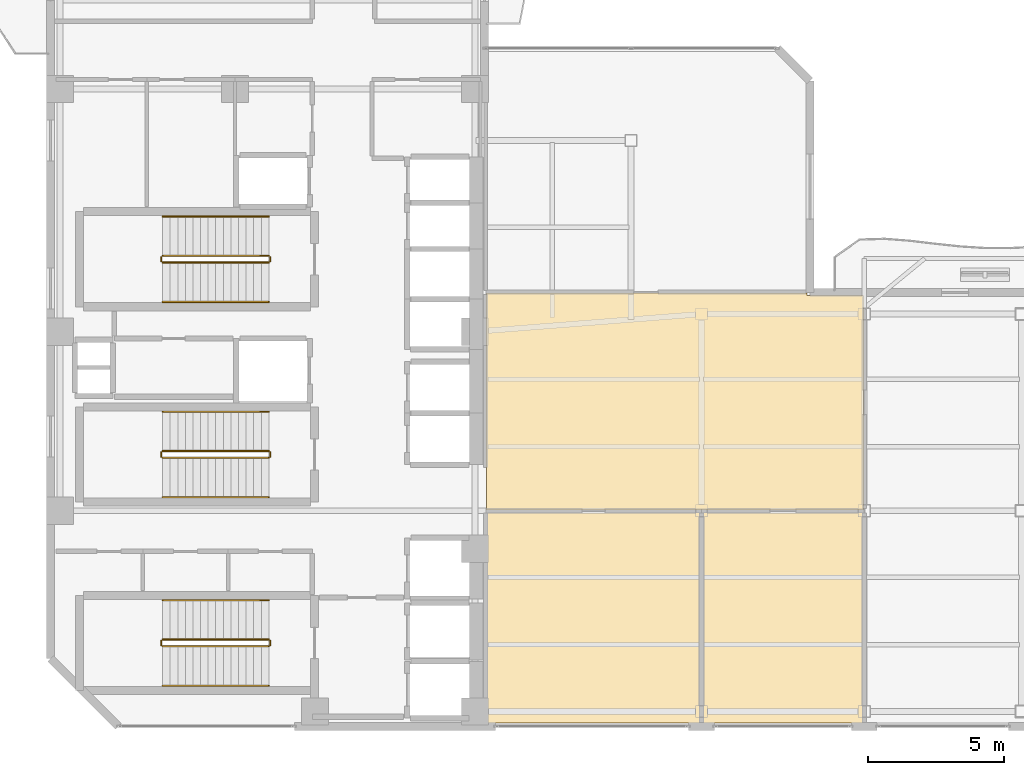
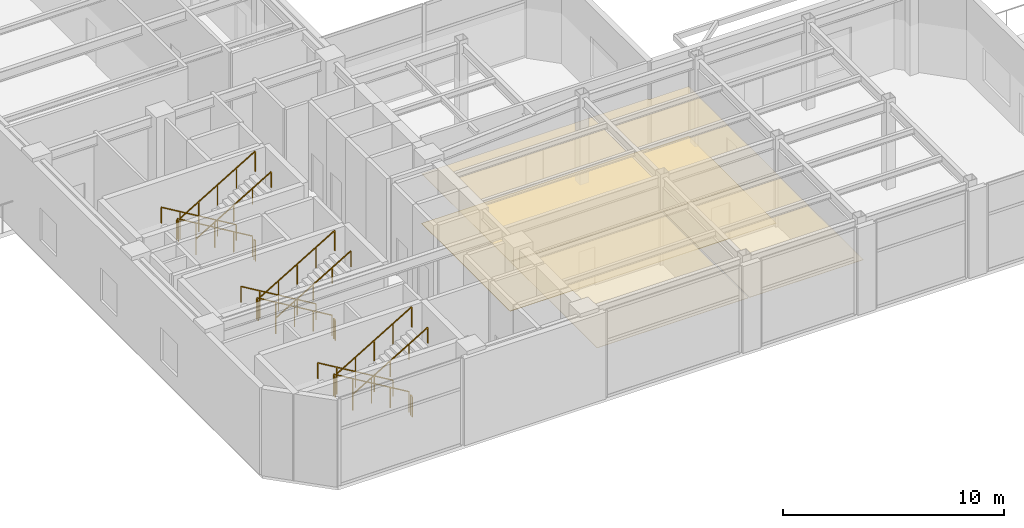
# One storey, part 14 of 16: 18 railings, 4 coverings.
"""IFC4 building model written with IfcOpenShell, lengths in metres."""

from ifc_helpers import new_model, si_unit, direction, frame, origin, origin_2d, place, context, subcontext, project, spatial, polyline, rectangle, outline, extrude, material, layer, layer_set, type_object, element, save


model = new_model("IFC4")

# Units and contexts
model_context = context("Model", 3, precision=1e-05, world=origin(), true_north=direction((0.0, 1.0)))
body_context = subcontext(model_context, "Body", "Model", "MODEL_VIEW")
ifc_project = project(units=[si_unit("LENGTHUNIT", "METRE"), si_unit("AREAUNIT", "SQUARE_METRE"), si_unit("VOLUMEUNIT", "CUBIC_METRE"), si_unit("PLANEANGLEUNIT", "RADIAN"), si_unit("MASSUNIT", "GRAM", prefix="KILO")], contexts=[model_context])

# Site, building, storey
site_placement = place(None, origin())
site = spatial("IfcSite", under=ifc_project, at=site_placement, CompositionType="ELEMENT")
building_placement = place(site_placement, origin())
building = spatial("IfcBuilding", under=site, at=building_placement, Name="Mawjaban Terraces University", CompositionType="ELEMENT")
storey_placement = place(building_placement, frame((0.0, 0.0, 170.800048828125)))
storey = spatial("IfcBuildingStorey", under=building, at=storey_placement, Name="L41", CompositionType="ELEMENT", Elevation=170.800048828125)

# Coverings
ifc_material_1 = material(Name="Acoustic mineral fibre ceiling tile", Category="masonry")
ifc_layer_1 = layer(ifc_material_1, 0.02001953125)
ifc_layer_set_1 = layer_set([ifc_layer_1], Name="Acoustic mineral fibre ceiling tile")
covering_type_1 = type_object("IfcCoveringType", Name="AcousticMineralCeiling_20", PredefinedType="CEILING", material=ifc_layer_set_1)
covering_1_placement = place(storey_placement, frame((0.0, 0.0, 2.75)))
element("IfcCovering", 1, at=covering_1_placement, inside=storey, type_object=covering_type_1, Name="L41 Transfer Sky Lobby Concourse Acoustic Ceiling", PredefinedType="CEILING", context=body_context, shape_type="SweptSolid", body=[
    extrude(outline(polyline([(51.969970703125, 15.885009765625), (49.885009765625, 15.885009765625), (49.885009765625, 15.969970703125), (38.080078125, 15.969970703125), (38.080078125, 7.97998046875), (51.969970703125, 7.97998046875), (51.969970703125, 15.885009765625)])), origin(), (0.0, 0.0, 1.0), 0.02001953125),
])
covering_2_placement = place(storey_placement, frame((0.0, 0.0, 2.75)))
element("IfcCovering", 2, at=covering_2_placement, inside=storey, type_object=covering_type_1, Name="L41 Sky Lobby Espresso and Tea Pantry Acoustic Ceiling", PredefinedType="CEILING", context=body_context, shape_type="SweptSolid", body=[
    extrude(outline(polyline([(38.080078125, 0.114990234375), (45.969970703125, 0.114990234375), (45.969970703125, 7.919921875), (38.080078125, 7.919921875), (38.080078125, 0.114990234375)])), origin(), (0.0, 0.0, 1.0), 0.02001953125),
])
covering_3_placement = place(storey_placement, frame((0.0, 0.0, 2.75)))
element("IfcCovering", 3, at=covering_3_placement, inside=storey, type_object=covering_type_1, Name="L41 Digital Exhibition Workshop Acoustic Ceiling", PredefinedType="CEILING", context=body_context, shape_type="SweptSolid", body=[
    extrude(outline(polyline([(46.030029296875, 0.114990234375), (51.969970703125, 0.114990234375), (51.969970703125, 7.919921875), (46.030029296875, 7.919921875), (46.030029296875, 0.114990234375)])), origin(), (0.0, 0.0, 1.0), 0.02001953125),
])

# Railings
ifc_material_2 = material(Name="Brushed stainless steel 316", Category="steel")
railing_type_1 = type_object("IfcRailingType", Name="StairWallHandrail_900", PredefinedType="HANDRAIL", material=ifc_material_2)
railing_1_placement = place(storey_placement, frame((30.050048828125, 4.64990234375, 0.16650390625)))
element("IfcRailing", 4, at=railing_1_placement, inside=storey, type_object=railing_type_1, Name="L41 ST-1 stair handrail 1", PredefinedType="HANDRAIL", context=body_context, shape_type="SweptSolid", body=[
    extrude(rectangle(XDim=0.048095703125, YDim=0.048095703125, at=origin_2d()), frame((0.0, 0.0, 0.8759765625), z_axis=(-0.859286724212, 0.0, 0.511494208758), x_axis=(0.0, -1.0, 0.0)), (0.0, 0.0, 1.0), 4.56201171875),
    extrude(rectangle(XDim=0.0419921875, YDim=0.0419921875, at=origin_2d()), origin(), (0.0, 0.0, 1.0), 0.851806640625),
    extrude(rectangle(XDim=0.0419921875, YDim=0.0419921875, at=origin_2d()), frame((-0.97998046875, 0.0, 0.58349609375)), (0.0, 0.0, 1.0), 0.851806640625),
    extrude(rectangle(XDim=0.0419921875, YDim=0.0419921875, at=origin_2d()), frame((-1.9599609375, 0.0, 1.166748046875)), (0.0, 0.0, 1.0), 0.851806640625),
    extrude(rectangle(XDim=0.0419921875, YDim=0.0419921875, at=origin_2d()), frame((-2.940185546875, 0.0, 1.75)), (0.0, 0.0, 1.0), 0.851806640625),
    extrude(rectangle(XDim=0.0419921875, YDim=0.0419921875, at=origin_2d()), frame((-3.920166015625, 0.0, 2.33349609375)), (0.0, 0.0, 1.0), 0.851806640625),
])
railing_2_placement = place(storey_placement, frame((26.1298828125, 1.5, 2.66650390625)))
element("IfcRailing", 5, at=railing_2_placement, inside=storey, type_object=railing_type_1, Name="L41 ST-1 stair handrail 2", PredefinedType="HANDRAIL", context=body_context, shape_type="SweptSolid", body=[
    extrude(rectangle(XDim=0.048095703125, YDim=0.048095703125, at=origin_2d()), frame((0.0, 0.0, 0.8759765625), z_axis=(0.859286724212, 0.0, 0.511494208758), x_axis=(0.0, 1.0, 0.0)), (0.0, 0.0, 1.0), 4.56201171875),
    extrude(rectangle(XDim=0.0419921875, YDim=0.0419921875, at=origin_2d()), origin(), (0.0, 0.0, 1.0), 0.851806640625),
    extrude(rectangle(XDim=0.0419921875, YDim=0.0419921875, at=origin_2d()), frame((0.97998046875, 0.0, 0.58349609375)), (0.0, 0.0, 1.0), 0.851806640625),
    extrude(rectangle(XDim=0.0419921875, YDim=0.0419921875, at=origin_2d()), frame((1.9599609375, 0.0, 1.166748046875)), (0.0, 0.0, 1.0), 0.851806640625),
    extrude(rectangle(XDim=0.0419921875, YDim=0.0419921875, at=origin_2d()), frame((2.940185546875, 0.0, 1.75)), (0.0, 0.0, 1.0), 0.851806640625),
    extrude(rectangle(XDim=0.0419921875, YDim=0.0419921875, at=origin_2d()), frame((3.920166015625, 0.0, 2.33349609375)), (0.0, 0.0, 1.0), 0.851806640625),
])
railing_3_placement = place(storey_placement, frame((30.050048828125, 18.800048828125, 0.16650390625)))
element("IfcRailing", 6, at=railing_3_placement, inside=storey, type_object=railing_type_1, Name="L41 ST-2 stair handrail 1", PredefinedType="HANDRAIL", context=body_context, shape_type="SweptSolid", body=[
    extrude(rectangle(XDim=0.048095703125, YDim=0.048095703125, at=origin_2d()), frame((0.0, 0.0, 0.8759765625), z_axis=(-0.859286724212, 0.0, 0.511494208758), x_axis=(0.0, -1.0, 0.0)), (0.0, 0.0, 1.0), 4.56201171875),
    extrude(rectangle(XDim=0.0419921875, YDim=0.0419921875, at=origin_2d()), origin(), (0.0, 0.0, 1.0), 0.851806640625),
    extrude(rectangle(XDim=0.0419921875, YDim=0.0419921875, at=origin_2d()), frame((-0.97998046875, 0.0, 0.58349609375)), (0.0, 0.0, 1.0), 0.851806640625),
    extrude(rectangle(XDim=0.0419921875, YDim=0.0419921875, at=origin_2d()), frame((-1.9599609375, 0.0, 1.166748046875)), (0.0, 0.0, 1.0), 0.851806640625),
    extrude(rectangle(XDim=0.0419921875, YDim=0.0419921875, at=origin_2d()), frame((-2.940185546875, 0.0, 1.75)), (0.0, 0.0, 1.0), 0.851806640625),
    extrude(rectangle(XDim=0.0419921875, YDim=0.0419921875, at=origin_2d()), frame((-3.920166015625, 0.0, 2.33349609375)), (0.0, 0.0, 1.0), 0.851806640625),
])
railing_4_placement = place(storey_placement, frame((26.1298828125, 15.64990234375, 2.66650390625)))
element("IfcRailing", 7, at=railing_4_placement, inside=storey, type_object=railing_type_1, Name="L41 ST-2 stair handrail 2", PredefinedType="HANDRAIL", context=body_context, shape_type="SweptSolid", body=[
    extrude(rectangle(XDim=0.048095703125, YDim=0.048095703125, at=origin_2d()), frame((0.0, 0.0, 0.8759765625), z_axis=(0.859286724212, 0.0, 0.511494208758), x_axis=(0.0, 1.0, 0.0)), (0.0, 0.0, 1.0), 4.56201171875),
    extrude(rectangle(XDim=0.0419921875, YDim=0.0419921875, at=origin_2d()), origin(), (0.0, 0.0, 1.0), 0.851806640625),
    extrude(rectangle(XDim=0.0419921875, YDim=0.0419921875, at=origin_2d()), frame((0.97998046875, 0.0, 0.58349609375)), (0.0, 0.0, 1.0), 0.851806640625),
    extrude(rectangle(XDim=0.0419921875, YDim=0.0419921875, at=origin_2d()), frame((1.9599609375, 0.0, 1.166748046875)), (0.0, 0.0, 1.0), 0.851806640625),
    extrude(rectangle(XDim=0.0419921875, YDim=0.0419921875, at=origin_2d()), frame((2.940185546875, 0.0, 1.75)), (0.0, 0.0, 1.0), 0.851806640625),
    extrude(rectangle(XDim=0.0419921875, YDim=0.0419921875, at=origin_2d()), frame((3.920166015625, 0.0, 2.33349609375)), (0.0, 0.0, 1.0), 0.851806640625),
])
railing_5_placement = place(storey_placement, frame((30.050048828125, 11.60009765625, 0.16650390625)))
element("IfcRailing", 8, at=railing_5_placement, inside=storey, type_object=railing_type_1, Name="L41 ST-3 stair handrail 1", PredefinedType="HANDRAIL", context=body_context, shape_type="SweptSolid", body=[
    extrude(rectangle(XDim=0.048095703125, YDim=0.048095703125, at=origin_2d()), frame((0.0, 0.0, 0.8759765625), z_axis=(-0.859286724212, 0.0, 0.511494208758), x_axis=(0.0, -1.0, 0.0)), (0.0, 0.0, 1.0), 4.56201171875),
    extrude(rectangle(XDim=0.0419921875, YDim=0.0419921875, at=origin_2d()), origin(), (0.0, 0.0, 1.0), 0.851806640625),
    extrude(rectangle(XDim=0.0419921875, YDim=0.0419921875, at=origin_2d()), frame((-0.97998046875, 0.0, 0.58349609375)), (0.0, 0.0, 1.0), 0.851806640625),
    extrude(rectangle(XDim=0.0419921875, YDim=0.0419921875, at=origin_2d()), frame((-1.9599609375, 0.0, 1.166748046875)), (0.0, 0.0, 1.0), 0.851806640625),
    extrude(rectangle(XDim=0.0419921875, YDim=0.0419921875, at=origin_2d()), frame((-2.940185546875, 0.0, 1.75)), (0.0, 0.0, 1.0), 0.851806640625),
    extrude(rectangle(XDim=0.0419921875, YDim=0.0419921875, at=origin_2d()), frame((-3.920166015625, 0.0, 2.33349609375)), (0.0, 0.0, 1.0), 0.851806640625),
])
railing_6_placement = place(storey_placement, frame((26.1298828125, 8.449951171875, 2.66650390625)))
element("IfcRailing", 9, at=railing_6_placement, inside=storey, type_object=railing_type_1, Name="L41 ST-3 stair handrail 2", PredefinedType="HANDRAIL", context=body_context, shape_type="SweptSolid", body=[
    extrude(rectangle(XDim=0.048095703125, YDim=0.048095703125, at=origin_2d()), frame((0.0, 0.0, 0.8759765625), z_axis=(0.859286724212, 0.0, 0.511494208758), x_axis=(0.0, 1.0, 0.0)), (0.0, 0.0, 1.0), 4.56201171875),
    extrude(rectangle(XDim=0.0419921875, YDim=0.0419921875, at=origin_2d()), origin(), (0.0, 0.0, 1.0), 0.851806640625),
    extrude(rectangle(XDim=0.0419921875, YDim=0.0419921875, at=origin_2d()), frame((0.97998046875, 0.0, 0.58349609375)), (0.0, 0.0, 1.0), 0.851806640625),
    extrude(rectangle(XDim=0.0419921875, YDim=0.0419921875, at=origin_2d()), frame((1.9599609375, 0.0, 1.166748046875)), (0.0, 0.0, 1.0), 0.851806640625),
    extrude(rectangle(XDim=0.0419921875, YDim=0.0419921875, at=origin_2d()), frame((2.940185546875, 0.0, 1.75)), (0.0, 0.0, 1.0), 0.851806640625),
    extrude(rectangle(XDim=0.0419921875, YDim=0.0419921875, at=origin_2d()), frame((3.920166015625, 0.0, 2.33349609375)), (0.0, 0.0, 1.0), 0.851806640625),
])
ifc_material_3 = material(Name="Galvanised painted steel S355", Category="steel")
railing_type_2 = type_object("IfcRailingType", Name="StairWellGuard_1150", PredefinedType="BALUSTRADE", material=ifc_material_3)
railing_7_placement = place(storey_placement, frame((30.050048828125, 3.199951171875, 0.16650390625)))
element("IfcRailing", 10, at=railing_7_placement, inside=storey, type_object=railing_type_2, Name="L41 ST-1 stair guard 1", PredefinedType="BALUSTRADE", context=body_context, shape_type="SweptSolid", body=[
    extrude(rectangle(XDim=0.048095703125, YDim=0.048095703125, at=origin_2d()), frame((0.0, 0.0, 1.1259765625), z_axis=(-0.859286724212, 0.0, 0.511494208758), x_axis=(0.0, -1.0, 0.0)), (0.0, 0.0, 1.0), 4.56201171875),
    extrude(rectangle(XDim=0.0419921875, YDim=0.0419921875, at=origin_2d()), origin(), (0.0, 0.0, 1.0), 1.101806640625),
    extrude(rectangle(XDim=0.0419921875, YDim=0.0419921875, at=origin_2d()), frame((-0.97998046875, 0.0, 0.58349609375)), (0.0, 0.0, 1.0), 1.101806640625),
    extrude(rectangle(XDim=0.0419921875, YDim=0.0419921875, at=origin_2d()), frame((-1.9599609375, 0.0, 1.166748046875)), (0.0, 0.0, 1.0), 1.101806640625),
    extrude(rectangle(XDim=0.0419921875, YDim=0.0419921875, at=origin_2d()), frame((-2.940185546875, 0.0, 1.75)), (0.0, 0.0, 1.0), 1.101806640625),
    extrude(rectangle(XDim=0.0419921875, YDim=0.0419921875, at=origin_2d()), frame((-3.920166015625, 0.0, 2.33349609375)), (0.0, 0.0, 1.0), 1.101806640625),
])
railing_8_placement = place(storey_placement, frame((26.080078125, 3.14990234375, 2.5)))
element("IfcRailing", 11, at=railing_8_placement, inside=storey, type_object=railing_type_2, Name="L41 ST-1 stair guard 2", PredefinedType="BALUSTRADE", context=body_context, shape_type="SweptSolid", body=[
    extrude(rectangle(XDim=0.048095703125, YDim=0.048095703125, at=origin_2d()), frame((0.0, 0.0, 1.1259765625), z_axis=(0.0, -1.0, 0.0), x_axis=(1.0, 0.0, 0.0)), (0.0, 0.0, 1.0), 0.14990234375),
    extrude(rectangle(XDim=0.0419921875, YDim=0.0419921875, at=origin_2d()), origin(), (0.0, 0.0, 1.0), 1.101806640625),
    extrude(rectangle(XDim=0.0419921875, YDim=0.0419921875, at=origin_2d()), frame((0.0, -0.14990234375, 0.0)), (0.0, 0.0, 1.0), 1.101806640625),
])
railing_9_placement = place(storey_placement, frame((26.1298828125, 2.949951171875, 2.66650390625)))
element("IfcRailing", 12, at=railing_9_placement, inside=storey, type_object=railing_type_2, Name="L41 ST-1 stair guard 3", PredefinedType="BALUSTRADE", context=body_context, shape_type="SweptSolid", body=[
    extrude(rectangle(XDim=0.048095703125, YDim=0.048095703125, at=origin_2d()), frame((0.0, 0.0, 1.1259765625), z_axis=(0.859286724212, 0.0, 0.511494208758), x_axis=(0.0, 1.0, 0.0)), (0.0, 0.0, 1.0), 4.56201171875),
    extrude(rectangle(XDim=0.0419921875, YDim=0.0419921875, at=origin_2d()), origin(), (0.0, 0.0, 1.0), 1.101806640625),
    extrude(rectangle(XDim=0.0419921875, YDim=0.0419921875, at=origin_2d()), frame((0.97998046875, 0.0, 0.58349609375)), (0.0, 0.0, 1.0), 1.101806640625),
    extrude(rectangle(XDim=0.0419921875, YDim=0.0419921875, at=origin_2d()), frame((1.9599609375, 0.0, 1.166748046875)), (0.0, 0.0, 1.0), 1.101806640625),
    extrude(rectangle(XDim=0.0419921875, YDim=0.0419921875, at=origin_2d()), frame((2.940185546875, 0.0, 1.75)), (0.0, 0.0, 1.0), 1.101806640625),
    extrude(rectangle(XDim=0.0419921875, YDim=0.0419921875, at=origin_2d()), frame((3.920166015625, 0.0, 2.33349609375)), (0.0, 0.0, 1.0), 1.101806640625),
])
railing_10_placement = place(storey_placement, frame((30.10009765625, 3.14990234375, 0.0)))
element("IfcRailing", 13, at=railing_10_placement, inside=storey, type_object=railing_type_2, Name="L41 ST-1 stair guard 4", PredefinedType="BALUSTRADE", context=body_context, shape_type="SweptSolid", body=[
    extrude(rectangle(XDim=0.048095703125, YDim=0.048095703125, at=origin_2d()), frame((0.0, 0.0, 1.1259765625), z_axis=(0.0, -1.0, 0.0), x_axis=(1.0, 0.0, 0.0)), (0.0, 0.0, 1.0), 0.14990234375),
    extrude(rectangle(XDim=0.0419921875, YDim=0.0419921875, at=origin_2d()), origin(), (0.0, 0.0, 1.0), 1.101806640625),
    extrude(rectangle(XDim=0.0419921875, YDim=0.0419921875, at=origin_2d()), frame((0.0, -0.14990234375, 0.0)), (0.0, 0.0, 1.0), 1.101806640625),
])
railing_11_placement = place(storey_placement, frame((30.050048828125, 17.35009765625, 0.16650390625)))
element("IfcRailing", 14, at=railing_11_placement, inside=storey, type_object=railing_type_2, Name="L41 ST-2 stair guard 1", PredefinedType="BALUSTRADE", context=body_context, shape_type="SweptSolid", body=[
    extrude(rectangle(XDim=0.048095703125, YDim=0.048095703125, at=origin_2d()), frame((0.0, 0.0, 1.1259765625), z_axis=(-0.859286724212, 0.0, 0.511494208758), x_axis=(0.0, -1.0, 0.0)), (0.0, 0.0, 1.0), 4.56201171875),
    extrude(rectangle(XDim=0.0419921875, YDim=0.0419921875, at=origin_2d()), origin(), (0.0, 0.0, 1.0), 1.101806640625),
    extrude(rectangle(XDim=0.0419921875, YDim=0.0419921875, at=origin_2d()), frame((-0.97998046875, 0.0, 0.58349609375)), (0.0, 0.0, 1.0), 1.101806640625),
    extrude(rectangle(XDim=0.0419921875, YDim=0.0419921875, at=origin_2d()), frame((-1.9599609375, 0.0, 1.166748046875)), (0.0, 0.0, 1.0), 1.101806640625),
    extrude(rectangle(XDim=0.0419921875, YDim=0.0419921875, at=origin_2d()), frame((-2.940185546875, 0.0, 1.75)), (0.0, 0.0, 1.0), 1.101806640625),
    extrude(rectangle(XDim=0.0419921875, YDim=0.0419921875, at=origin_2d()), frame((-3.920166015625, 0.0, 2.33349609375)), (0.0, 0.0, 1.0), 1.101806640625),
])
railing_12_placement = place(storey_placement, frame((26.080078125, 17.300048828125, 2.5)))
element("IfcRailing", 15, at=railing_12_placement, inside=storey, type_object=railing_type_2, Name="L41 ST-2 stair guard 2", PredefinedType="BALUSTRADE", context=body_context, shape_type="SweptSolid", body=[
    extrude(rectangle(XDim=0.048095703125, YDim=0.048095703125, at=origin_2d()), frame((0.0, 0.0, 1.1259765625), z_axis=(0.0, -1.0, 0.0), x_axis=(1.0, 0.0, 0.0)), (0.0, 0.0, 1.0), 0.150146484375),
    extrude(rectangle(XDim=0.0419921875, YDim=0.0419921875, at=origin_2d()), origin(), (0.0, 0.0, 1.0), 1.101806640625),
    extrude(rectangle(XDim=0.0419921875, YDim=0.0419921875, at=origin_2d()), frame((0.0, -0.150146484375, 0.0)), (0.0, 0.0, 1.0), 1.101806640625),
])
railing_13_placement = place(storey_placement, frame((26.1298828125, 17.10009765625, 2.66650390625)))
element("IfcRailing", 16, at=railing_13_placement, inside=storey, type_object=railing_type_2, Name="L41 ST-2 stair guard 3", PredefinedType="BALUSTRADE", context=body_context, shape_type="SweptSolid", body=[
    extrude(rectangle(XDim=0.048095703125, YDim=0.048095703125, at=origin_2d()), frame((0.0, 0.0, 1.1259765625), z_axis=(0.859286724212, 0.0, 0.511494208758), x_axis=(0.0, 1.0, 0.0)), (0.0, 0.0, 1.0), 4.56201171875),
    extrude(rectangle(XDim=0.0419921875, YDim=0.0419921875, at=origin_2d()), origin(), (0.0, 0.0, 1.0), 1.101806640625),
    extrude(rectangle(XDim=0.0419921875, YDim=0.0419921875, at=origin_2d()), frame((0.97998046875, 0.0, 0.58349609375)), (0.0, 0.0, 1.0), 1.101806640625),
    extrude(rectangle(XDim=0.0419921875, YDim=0.0419921875, at=origin_2d()), frame((1.9599609375, 0.0, 1.166748046875)), (0.0, 0.0, 1.0), 1.101806640625),
    extrude(rectangle(XDim=0.0419921875, YDim=0.0419921875, at=origin_2d()), frame((2.940185546875, 0.0, 1.75)), (0.0, 0.0, 1.0), 1.101806640625),
    extrude(rectangle(XDim=0.0419921875, YDim=0.0419921875, at=origin_2d()), frame((3.920166015625, 0.0, 2.33349609375)), (0.0, 0.0, 1.0), 1.101806640625),
])
railing_14_placement = place(storey_placement, frame((30.10009765625, 17.300048828125, 0.0)))
element("IfcRailing", 17, at=railing_14_placement, inside=storey, type_object=railing_type_2, Name="L41 ST-2 stair guard 4", PredefinedType="BALUSTRADE", context=body_context, shape_type="SweptSolid", body=[
    extrude(rectangle(XDim=0.048095703125, YDim=0.048095703125, at=origin_2d()), frame((0.0, 0.0, 1.1259765625), z_axis=(0.0, -1.0, 0.0), x_axis=(1.0, 0.0, 0.0)), (0.0, 0.0, 1.0), 0.150146484375),
    extrude(rectangle(XDim=0.0419921875, YDim=0.0419921875, at=origin_2d()), origin(), (0.0, 0.0, 1.0), 1.101806640625),
    extrude(rectangle(XDim=0.0419921875, YDim=0.0419921875, at=origin_2d()), frame((0.0, -0.150146484375, 0.0)), (0.0, 0.0, 1.0), 1.101806640625),
])
railing_15_placement = place(storey_placement, frame((30.050048828125, 10.14990234375, 0.16650390625)))
element("IfcRailing", 18, at=railing_15_placement, inside=storey, type_object=railing_type_2, Name="L41 ST-3 stair guard 1", PredefinedType="BALUSTRADE", context=body_context, shape_type="SweptSolid", body=[
    extrude(rectangle(XDim=0.048095703125, YDim=0.048095703125, at=origin_2d()), frame((0.0, 0.0, 1.1259765625), z_axis=(-0.859286724212, 0.0, 0.511494208758), x_axis=(0.0, -1.0, 0.0)), (0.0, 0.0, 1.0), 4.56201171875),
    extrude(rectangle(XDim=0.0419921875, YDim=0.0419921875, at=origin_2d()), origin(), (0.0, 0.0, 1.0), 1.101806640625),
    extrude(rectangle(XDim=0.0419921875, YDim=0.0419921875, at=origin_2d()), frame((-0.97998046875, 0.0, 0.58349609375)), (0.0, 0.0, 1.0), 1.101806640625),
    extrude(rectangle(XDim=0.0419921875, YDim=0.0419921875, at=origin_2d()), frame((-1.9599609375, 0.0, 1.166748046875)), (0.0, 0.0, 1.0), 1.101806640625),
    extrude(rectangle(XDim=0.0419921875, YDim=0.0419921875, at=origin_2d()), frame((-2.940185546875, 0.0, 1.75)), (0.0, 0.0, 1.0), 1.101806640625),
    extrude(rectangle(XDim=0.0419921875, YDim=0.0419921875, at=origin_2d()), frame((-3.920166015625, 0.0, 2.33349609375)), (0.0, 0.0, 1.0), 1.101806640625),
])
railing_16_placement = place(storey_placement, frame((26.080078125, 10.10009765625, 2.5)))
element("IfcRailing", 19, at=railing_16_placement, inside=storey, type_object=railing_type_2, Name="L41 ST-3 stair guard 2", PredefinedType="BALUSTRADE", context=body_context, shape_type="SweptSolid", body=[
    extrude(rectangle(XDim=0.048095703125, YDim=0.048095703125, at=origin_2d()), frame((0.0, 0.0, 1.1259765625), z_axis=(0.0, -1.0, 0.0), x_axis=(1.0, 0.0, 0.0)), (0.0, 0.0, 1.0), 0.150146484375),
    extrude(rectangle(XDim=0.0419921875, YDim=0.0419921875, at=origin_2d()), origin(), (0.0, 0.0, 1.0), 1.101806640625),
    extrude(rectangle(XDim=0.0419921875, YDim=0.0419921875, at=origin_2d()), frame((0.0, -0.150146484375, 0.0)), (0.0, 0.0, 1.0), 1.101806640625),
])
railing_17_placement = place(storey_placement, frame((26.1298828125, 9.89990234375, 2.66650390625)))
element("IfcRailing", 20, at=railing_17_placement, inside=storey, type_object=railing_type_2, Name="L41 ST-3 stair guard 3", PredefinedType="BALUSTRADE", context=body_context, shape_type="SweptSolid", body=[
    extrude(rectangle(XDim=0.048095703125, YDim=0.048095703125, at=origin_2d()), frame((0.0, 0.0, 1.1259765625), z_axis=(0.859286724212, 0.0, 0.511494208758), x_axis=(0.0, 1.0, 0.0)), (0.0, 0.0, 1.0), 4.56201171875),
    extrude(rectangle(XDim=0.0419921875, YDim=0.0419921875, at=origin_2d()), origin(), (0.0, 0.0, 1.0), 1.101806640625),
    extrude(rectangle(XDim=0.0419921875, YDim=0.0419921875, at=origin_2d()), frame((0.97998046875, 0.0, 0.58349609375)), (0.0, 0.0, 1.0), 1.101806640625),
    extrude(rectangle(XDim=0.0419921875, YDim=0.0419921875, at=origin_2d()), frame((1.9599609375, 0.0, 1.166748046875)), (0.0, 0.0, 1.0), 1.101806640625),
    extrude(rectangle(XDim=0.0419921875, YDim=0.0419921875, at=origin_2d()), frame((2.940185546875, 0.0, 1.75)), (0.0, 0.0, 1.0), 1.101806640625),
    extrude(rectangle(XDim=0.0419921875, YDim=0.0419921875, at=origin_2d()), frame((3.920166015625, 0.0, 2.33349609375)), (0.0, 0.0, 1.0), 1.101806640625),
])
railing_18_placement = place(storey_placement, frame((30.10009765625, 10.10009765625, 0.0)))
element("IfcRailing", 21, at=railing_18_placement, inside=storey, type_object=railing_type_2, Name="L41 ST-3 stair guard 4", PredefinedType="BALUSTRADE", context=body_context, shape_type="SweptSolid", body=[
    extrude(rectangle(XDim=0.048095703125, YDim=0.048095703125, at=origin_2d()), frame((0.0, 0.0, 1.1259765625), z_axis=(0.0, -1.0, 0.0), x_axis=(1.0, 0.0, 0.0)), (0.0, 0.0, 1.0), 0.150146484375),
    extrude(rectangle(XDim=0.0419921875, YDim=0.0419921875, at=origin_2d()), origin(), (0.0, 0.0, 1.0), 1.101806640625),
    extrude(rectangle(XDim=0.0419921875, YDim=0.0419921875, at=origin_2d()), frame((0.0, -0.150146484375, 0.0)), (0.0, 0.0, 1.0), 1.101806640625),
])

# Covering
ifc_material_4 = material(Name="Polished Hijazi granite terrazzo flooring", Category="masonry")
ifc_layer_2 = layer(ifc_material_4, 0.02490234375)
ifc_layer_set_2 = layer_set([ifc_layer_2], Name="Polished Hijazi granite terrazzo flooring")
covering_type_2 = type_object("IfcCoveringType", Name="TerrazzoConcourseFlooring_25", PredefinedType="FLOORING", material=ifc_layer_set_2)
covering_4_placement = place(storey_placement, origin())
element("IfcCovering", 22, at=covering_4_placement, inside=storey, type_object=covering_type_2, Name="L41 Transfer Sky Lobby Concourse Terrazzo Flooring", PredefinedType="FLOORING", context=body_context, shape_type="SweptSolid", body=[
    extrude(outline(polyline([(51.969970703125, 15.885009765625), (49.885009765625, 15.885009765625), (49.885009765625, 15.969970703125), (38.080078125, 15.969970703125), (38.080078125, 7.97998046875), (51.969970703125, 7.97998046875), (51.969970703125, 15.885009765625)])), origin(), (0.0, 0.0, 1.0), 0.02490234375),
])

save(model, "model.ifc")
